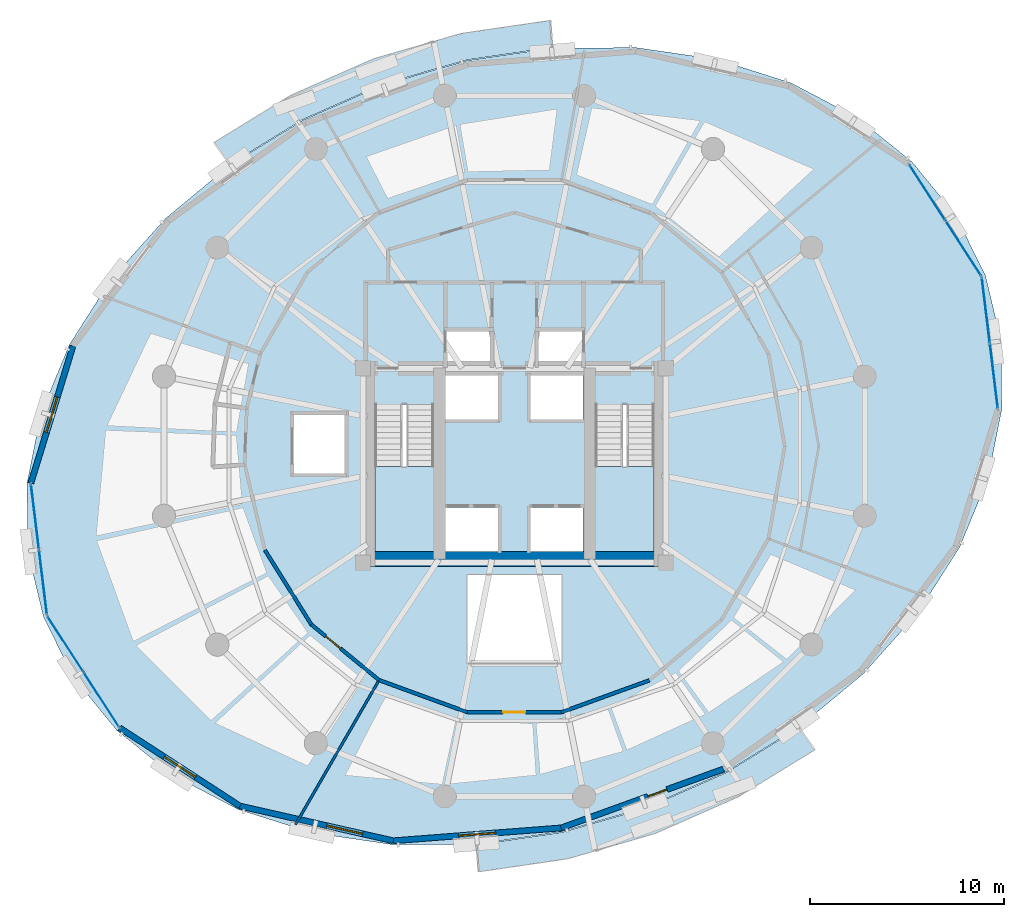
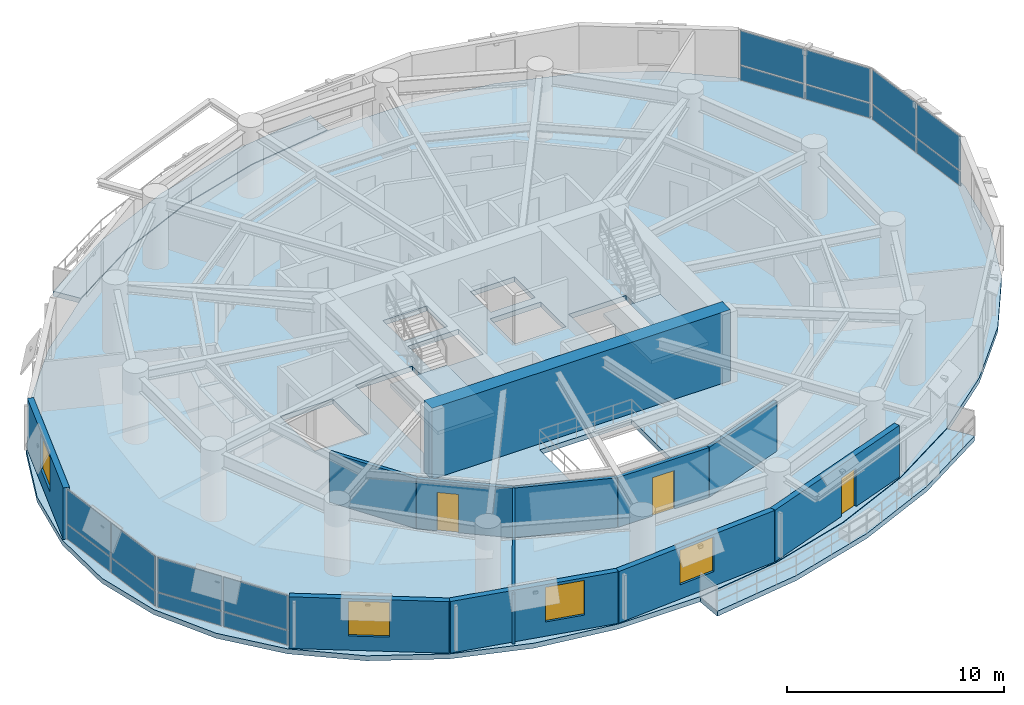
# One storey, part 9 of 15: 16 plates, 12 walls, 5 slabs, 4 windows, 3 doors, 7 openings, 6 elements without a shape of their own.
"""IFC4 building model written with IfcOpenShell, lengths in metres."""

from ifc_helpers import new_model, si_unit, direction, frame, frame_2d, origin, origin_2d, place, context, subcontext, project, spatial, polyline, rectangle, outline, extrude, material, layer, layer_set, type_object, element, fill, aggregate, save


model = new_model("IFC4")

# Units and contexts
model_context = context("Model", 3, precision=1e-05, world=origin(), true_north=direction((0.0, 1.0)))
body_context = subcontext(model_context, "Body", "Model", "MODEL_VIEW")
ifc_project = project(units=[si_unit("LENGTHUNIT", "METRE"), si_unit("AREAUNIT", "SQUARE_METRE"), si_unit("VOLUMEUNIT", "CUBIC_METRE"), si_unit("PLANEANGLEUNIT", "RADIAN"), si_unit("MASSUNIT", "GRAM", prefix="KILO"), si_unit("THERMODYNAMICTEMPERATUREUNIT", "KELVIN"), si_unit("POWERUNIT", "WATT")], contexts=[model_context])

# Site, building, storey
site_placement = place(None, origin())
site = spatial("IfcSite", under=ifc_project, at=site_placement, CompositionType="ELEMENT")
building_placement = place(site_placement, origin())
building = spatial("IfcBuilding", under=site, at=building_placement, Name="Ocrelia Relay Tower", CompositionType="ELEMENT")
storey_placement = place(building_placement, frame((0.0, 0.0, 117.800048828125)))
storey = spatial("IfcBuildingStorey", under=building, at=storey_placement, Name="L27", CompositionType="ELEMENT", Elevation=117.800048828125)

# Curtain wall, plates
ifc_material_1 = material(Name="Aluminium and solar-control low-E glass", Category="aluminium")
ifc_layer_1 = layer(ifc_material_1, 0.179931640625, Name="Aluminium and solar-control low-E glass")
ifc_layer_set_1 = layer_set([ifc_layer_1], Name="Aluminium and solar-control low-E glass")
curtain_wall_type = type_object("IfcCurtainWallType", Name="CW-SYS-Z2-SWIT", PredefinedType="NOTDEFINED", material=ifc_layer_set_1)
curtain_wall_1_placement = place(storey_placement, origin())
curtain_wall_1 = element("IfcCurtainWall", 1, at=curtain_wall_1_placement, inside=storey, type_object=curtain_wall_type, Name="L27 Elliptical Tower Curtain Wall Bay 01", PredefinedType="NOTDEFINED")
ifc_material_2 = material(Name="Clear double-glazed low-E glass", Category="glass")
ifc_layer_2 = layer(ifc_material_2, 0.031982421875, Name="Clear double-glazed low-E glass")
ifc_layer_set_2 = layer_set([ifc_layer_2], Name="Clear double-glazed low-E glass")
plate_type = type_object("IfcPlateType", Name="CW-SYS-Z2-SWIT-PNL", PredefinedType="CURTAIN_PANEL", material=ifc_layer_set_2)
plate_1_placement = place(storey_placement, frame((57.11962890625, 36.193115234375, 0.059814453125), z_axis=(0.0, 0.0, 1.0), x_axis=(-0.543455591745, 0.839437918968, 0.0)))
plate_1 = element("IfcPlate", 2, at=plate_1_placement, type_object=plate_type, Name="CW-Z2 panel 1.1", PredefinedType="CURTAIN_PANEL", context=body_context, shape_type="SweptSolid", body=[
    extrude(rectangle(XDim=3.33447265625, YDim=0.031982421875, at=origin_2d()), origin(), (0.0, 0.0, 1.0), 0.81005859375),
])
plate_2_placement = place(storey_placement, frame((57.11962890625, 36.193115234375, 0.93017578125), z_axis=(0.0, 0.0, 1.0), x_axis=(-0.543455591745, 0.839437918968, 0.0)))
plate_2 = element("IfcPlate", 3, at=plate_2_placement, type_object=plate_type, Name="CW-Z2 panel 1.2", PredefinedType="CURTAIN_PANEL", context=body_context, shape_type="SweptSolid", body=[
    extrude(rectangle(XDim=3.33447265625, YDim=0.031982421875, at=origin_2d()), origin(), (0.0, 0.0, 1.0), 1.909912109375),
])
plate_3_placement = place(storey_placement, frame((55.26953125, 39.051025390625, 0.059814453125), z_axis=(0.0, 0.0, 1.0), x_axis=(-0.543455591745, 0.839437918968, 0.0)))
plate_3 = element("IfcPlate", 4, at=plate_3_placement, type_object=plate_type, Name="CW-Z2 panel 2.1", PredefinedType="CURTAIN_PANEL", context=body_context, shape_type="SweptSolid", body=[
    extrude(rectangle(XDim=3.33447265625, YDim=0.031982421875, at=origin_2d()), origin(), (0.0, 0.0, 1.0), 0.81005859375),
])
plate_4_placement = place(storey_placement, frame((55.26953125, 39.051025390625, 0.93017578125), z_axis=(0.0, 0.0, 1.0), x_axis=(-0.543455591745, 0.839437918968, 0.0)))
plate_4 = element("IfcPlate", 5, at=plate_4_placement, type_object=plate_type, Name="CW-Z2 panel 2.2", PredefinedType="CURTAIN_PANEL", context=body_context, shape_type="SweptSolid", body=[
    extrude(rectangle(XDim=3.33447265625, YDim=0.031982421875, at=origin_2d()), origin(), (0.0, 0.0, 1.0), 1.909912109375),
])
aggregate(curtain_wall_1, [plate_1, plate_2, plate_3, plate_4])

curtain_wall_2_placement = place(storey_placement, origin())
curtain_wall_2 = element("IfcCurtainWall", 6, at=curtain_wall_2_placement, inside=storey, type_object=curtain_wall_type, Name="L27 Elliptical Tower Curtain Wall Bay 09", PredefinedType="NOTDEFINED")
plate_5_placement = place(storey_placement, frame((9.311279296875, 22.368896484375, 0.059814453125), z_axis=(0.0, 0.0, 1.0), x_axis=(0.121527745226, -0.992588034957, 0.0)))
plate_5 = element("IfcPlate", 7, at=plate_5_placement, type_object=plate_type, Name="CW-Z2 panel 1.1", PredefinedType="CURTAIN_PANEL", context=body_context, shape_type="SweptSolid", body=[
    extrude(rectangle(XDim=3.33447265625, YDim=0.031982421875, at=origin_2d()), origin(), (0.0, 0.0, 1.0), 0.81005859375),
])
plate_6_placement = place(storey_placement, frame((9.311279296875, 22.368896484375, 0.93017578125), z_axis=(0.0, 0.0, 1.0), x_axis=(0.121527745226, -0.992588034957, 0.0)))
plate_6 = element("IfcPlate", 8, at=plate_6_placement, type_object=plate_type, Name="CW-Z2 panel 1.2", PredefinedType="CURTAIN_PANEL", context=body_context, shape_type="SweptSolid", body=[
    extrude(rectangle(XDim=3.33447265625, YDim=0.031982421875, at=origin_2d()), origin(), (0.0, 0.0, 1.0), 1.909912109375),
])
plate_7_placement = place(storey_placement, frame((9.72509765625, 18.98974609375, 0.059814453125), z_axis=(0.0, 0.0, 1.0), x_axis=(0.121527745226, -0.992588034957, 0.0)))
plate_7 = element("IfcPlate", 9, at=plate_7_placement, type_object=plate_type, Name="CW-Z2 panel 2.1", PredefinedType="CURTAIN_PANEL", context=body_context, shape_type="SweptSolid", body=[
    extrude(rectangle(XDim=3.33447265625, YDim=0.031982421875, at=origin_2d()), origin(), (0.0, 0.0, 1.0), 0.81005859375),
])
plate_8_placement = place(storey_placement, frame((9.72509765625, 18.98974609375, 0.93017578125), z_axis=(0.0, 0.0, 1.0), x_axis=(0.121527745226, -0.992588034957, 0.0)))
plate_8 = element("IfcPlate", 10, at=plate_8_placement, type_object=plate_type, Name="CW-Z2 panel 2.2", PredefinedType="CURTAIN_PANEL", context=body_context, shape_type="SweptSolid", body=[
    extrude(rectangle(XDim=3.33447265625, YDim=0.031982421875, at=origin_2d()), origin(), (0.0, 0.0, 1.0), 1.909912109375),
])
aggregate(curtain_wall_2, [plate_5, plate_6, plate_7, plate_8])

curtain_wall_3_placement = place(storey_placement, origin())
curtain_wall_3 = element("IfcCurtainWall", 11, at=curtain_wall_3_placement, inside=storey, type_object=curtain_wall_type, Name="L27 Elliptical Tower Curtain Wall Bay 10", PredefinedType="NOTDEFINED")
plate_9_placement = place(storey_placement, frame((10.88037109375, 15.806884765625, 0.059814453125), z_axis=(0.0, 0.0, 1.0), x_axis=(0.543455591745, -0.839437918968, 0.0)))
plate_9 = element("IfcPlate", 12, at=plate_9_placement, type_object=plate_type, Name="CW-Z2 panel 1.1", PredefinedType="CURTAIN_PANEL", context=body_context, shape_type="SweptSolid", body=[
    extrude(rectangle(XDim=3.33447265625, YDim=0.031982421875, at=origin_2d()), origin(), (0.0, 0.0, 1.0), 0.81005859375),
])
plate_10_placement = place(storey_placement, frame((10.88037109375, 15.806884765625, 0.93017578125), z_axis=(0.0, 0.0, 1.0), x_axis=(0.543455591745, -0.839437918968, 0.0)))
plate_10 = element("IfcPlate", 13, at=plate_10_placement, type_object=plate_type, Name="CW-Z2 panel 1.2", PredefinedType="CURTAIN_PANEL", context=body_context, shape_type="SweptSolid", body=[
    extrude(rectangle(XDim=3.33447265625, YDim=0.031982421875, at=origin_2d()), origin(), (0.0, 0.0, 1.0), 1.909912109375),
])
plate_11_placement = place(storey_placement, frame((12.73046875, 12.948974609375, 0.059814453125), z_axis=(0.0, 0.0, 1.0), x_axis=(0.543455591745, -0.839437918968, 0.0)))
plate_11 = element("IfcPlate", 14, at=plate_11_placement, type_object=plate_type, Name="CW-Z2 panel 2.1", PredefinedType="CURTAIN_PANEL", context=body_context, shape_type="SweptSolid", body=[
    extrude(rectangle(XDim=3.33447265625, YDim=0.031982421875, at=origin_2d()), origin(), (0.0, 0.0, 1.0), 0.81005859375),
])
plate_12_placement = place(storey_placement, frame((12.73046875, 12.948974609375, 0.93017578125), z_axis=(0.0, 0.0, 1.0), x_axis=(0.543455591745, -0.839437918968, 0.0)))
plate_12 = element("IfcPlate", 15, at=plate_12_placement, type_object=plate_type, Name="CW-Z2 panel 2.2", PredefinedType="CURTAIN_PANEL", context=body_context, shape_type="SweptSolid", body=[
    extrude(rectangle(XDim=3.33447265625, YDim=0.031982421875, at=origin_2d()), origin(), (0.0, 0.0, 1.0), 1.909912109375),
])
aggregate(curtain_wall_3, [plate_9, plate_10, plate_11, plate_12])

curtain_wall_4_placement = place(storey_placement, origin())
curtain_wall_4 = element("IfcCurtainWall", 16, at=curtain_wall_4_placement, inside=storey, type_object=curtain_wall_type, Name="L27 Elliptical Tower Curtain Wall Bay 18", PredefinedType="NOTDEFINED")
plate_13_placement = place(storey_placement, frame((58.688720703125, 29.631103515625, 0.059814453125), z_axis=(0.0, 0.0, 1.0), x_axis=(-0.121527745226, 0.992588034957, 0.0)))
plate_13 = element("IfcPlate", 17, at=plate_13_placement, type_object=plate_type, Name="CW-Z2 panel 1.1", PredefinedType="CURTAIN_PANEL", context=body_context, shape_type="SweptSolid", body=[
    extrude(rectangle(XDim=3.33447265625, YDim=0.031982421875, at=origin_2d()), origin(), (0.0, 0.0, 1.0), 0.81005859375),
])
plate_14_placement = place(storey_placement, frame((58.688720703125, 29.631103515625, 0.93017578125), z_axis=(0.0, 0.0, 1.0), x_axis=(-0.121527745226, 0.992588034957, 0.0)))
plate_14 = element("IfcPlate", 18, at=plate_14_placement, type_object=plate_type, Name="CW-Z2 panel 1.2", PredefinedType="CURTAIN_PANEL", context=body_context, shape_type="SweptSolid", body=[
    extrude(rectangle(XDim=3.33447265625, YDim=0.031982421875, at=origin_2d()), origin(), (0.0, 0.0, 1.0), 1.909912109375),
])
plate_15_placement = place(storey_placement, frame((58.27490234375, 33.01025390625, 0.059814453125), z_axis=(0.0, 0.0, 1.0), x_axis=(-0.121527745226, 0.992588034957, 0.0)))
plate_15 = element("IfcPlate", 19, at=plate_15_placement, type_object=plate_type, Name="CW-Z2 panel 2.1", PredefinedType="CURTAIN_PANEL", context=body_context, shape_type="SweptSolid", body=[
    extrude(rectangle(XDim=3.33447265625, YDim=0.031982421875, at=origin_2d()), origin(), (0.0, 0.0, 1.0), 0.81005859375),
])
plate_16_placement = place(storey_placement, frame((58.27490234375, 33.01025390625, 0.93017578125), z_axis=(0.0, 0.0, 1.0), x_axis=(-0.121527745226, 0.992588034957, 0.0)))
plate_16 = element("IfcPlate", 20, at=plate_16_placement, type_object=plate_type, Name="CW-Z2 panel 2.2", PredefinedType="CURTAIN_PANEL", context=body_context, shape_type="SweptSolid", body=[
    extrude(rectangle(XDim=3.33447265625, YDim=0.031982421875, at=origin_2d()), origin(), (0.0, 0.0, 1.0), 1.909912109375),
])
aggregate(curtain_wall_4, [plate_13, plate_14, plate_15, plate_16])

# Slabs
ifc_material_3 = material(Name="Precast concrete C40/50", Category="concrete")
ifc_layer_3 = layer(ifc_material_3, 0.280029296875, Name="Precast concrete C40/50")
ifc_layer_set_3 = layer_set([ifc_layer_3], Name="Precast concrete C40/50")
slab_type_1 = type_object("IfcSlabType", Name="SL-BALC-280", PredefinedType="FLOOR", material=ifc_layer_set_3)
slab_1_placement = place(storey_placement, frame((0.0, 0.0, -0.280029296875)))
element("IfcSlab", 21, at=slab_1_placement, inside=storey, type_object=slab_type_1, Name="L27 Planted Loggia Balcony B1", PredefinedType="FLOOR", context=body_context, shape_type="SweptSolid", body=[
    extrude(outline(polyline([(35.944091796875, 46.5302734375), (33.747802734375, 46.20849609375), (31.5517578125, 45.88720703125), (27.23388671875, 44.64013671875), (23.12158203125, 42.826904296875), (21.230712890625, 41.6650390625), (19.339599609375, 40.503173828125), (18.5283203125, 41.635986328125), (20.50146484375, 42.848388671875), (22.474365234375, 44.060791015625), (26.758544921875, 45.94970703125), (31.2568359375, 47.248779296875), (33.54833984375, 47.584228515625), (35.839599609375, 47.919677734375), (35.944091796875, 46.5302734375)])), origin(), (0.0, 0.0, 1.0), 0.280029296875),
])
slab_2_placement = place(storey_placement, frame((0.0, 0.0, -0.280029296875)))
element("IfcSlab", 22, at=slab_2_placement, inside=storey, type_object=slab_type_1, Name="L27 Planted Loggia Balcony B2", PredefinedType="FLOOR", context=body_context, shape_type="SweptSolid", body=[
    extrude(outline(polyline([(32.055908203125, 5.4697265625), (34.252197265625, 5.791259765625), (36.4482421875, 6.11279296875), (40.76611328125, 7.35986328125), (44.87841796875, 9.173095703125), (46.769287109375, 10.3349609375), (48.660400390625, 11.496826171875), (49.4716796875, 10.364013671875), (47.49853515625, 9.151611328125), (45.525634765625, 7.939208984375), (41.241455078125, 6.05029296875), (36.7431640625, 4.751220703125), (34.45166015625, 4.415771484375), (32.160400390625, 4.080322265625), (32.055908203125, 5.4697265625)])), origin(), (0.0, 0.0, 1.0), 0.280029296875),
])
ifc_material_4 = material(Name="Concrete C50/60", Category="concrete")
ifc_layer_4 = layer(ifc_material_4, 0.280029296875, Name="Concrete C50/60")
ifc_layer_set_4 = layer_set([ifc_layer_4], Name="Concrete C50/60")
slab_type_2 = type_object("IfcSlabType", Name="SL-FLR-280", PredefinedType="FLOOR", material=ifc_layer_set_4)
slab_3_placement = place(storey_placement, frame((0.0, 0.0, -0.280029296875)))
element("IfcSlab", 23, at=slab_3_placement, inside=storey, type_object=slab_type_2, Name="L27 Elliptical Tower Floor Slab", PredefinedType="FLOOR", context=body_context, shape_type="SweptSolid", body=[
    extrude(outline(polyline([(58.251708984375, 34.802978515625), (56.710205078125, 37.901123046875), (54.478515625, 40.6376953125), (51.624755859375, 42.929443359375), (48.2353515625, 44.706787109375), (44.41357421875, 45.916015625), (40.275146484375, 46.519775390625), (35.9462890625, 46.500244140625), (31.55810546875, 45.857666015625), (27.244140625, 44.61181640625), (23.135498046875, 42.80029296875), (19.357177734375, 40.478515625), (16.0234375, 37.716796875), (13.236083984375, 34.59912109375), (11.07958984375, 31.219970703125), (9.619384765625, 27.682373046875), (8.900146484375, 24.093505859375), (8.943603515625, 20.562744140625), (9.748291015625, 17.197021484375), (11.289794921875, 14.098876953125), (13.521484375, 11.3623046875), (16.375244140625, 9.070556640625), (19.7646484375, 7.293212890625), (23.58642578125, 6.083984375), (27.724853515625, 5.480224609375), (32.0537109375, 5.499755859375), (36.44189453125, 6.142333984375), (40.755859375, 7.38818359375), (44.864501953125, 9.19970703125), (48.642822265625, 11.521484375), (51.9765625, 14.283203125), (54.763916015625, 17.40087890625), (56.92041015625, 20.780029296875), (58.380615234375, 24.317626953125), (59.099853515625, 27.906494140625), (59.056396484375, 31.437255859375), (58.251708984375, 34.802978515625)]), holes=[polyline([(26.81005859375, 28.14990234375), (26.81005859375, 20.550048828125), (29.85009765625, 20.550048828125), (29.85009765625, 28.14990234375), (26.81005859375, 28.14990234375)]), polyline([(38.159912109375, 28.14990234375), (38.159912109375, 20.550048828125), (41.199951171875, 20.550048828125), (41.199951171875, 28.14990234375), (38.159912109375, 28.14990234375)]), polyline([(30.4599609375, 20.550048828125), (33.159912109375, 20.550048828125), (33.159912109375, 22.85009765625), (30.4599609375, 22.85009765625), (30.4599609375, 20.550048828125)]), polyline([(34.840087890625, 20.550048828125), (37.5400390625, 20.550048828125), (37.5400390625, 22.85009765625), (34.840087890625, 22.85009765625), (34.840087890625, 20.550048828125)]), polyline([(30.4599609375, 27.35009765625), (33.159912109375, 27.35009765625), (33.159912109375, 29.64990234375), (30.4599609375, 29.64990234375), (30.4599609375, 27.35009765625)]), polyline([(34.840087890625, 27.35009765625), (37.5400390625, 27.35009765625), (37.5400390625, 29.64990234375), (34.840087890625, 29.64990234375), (34.840087890625, 27.35009765625)]), polyline([(30.5, 30.10009765625), (32.85009765625, 30.10009765625), (32.85009765625, 32.0), (30.5, 32.0), (30.5, 30.10009765625)]), polyline([(35.14990234375, 30.10009765625), (37.5, 30.10009765625), (37.5, 32.0), (35.14990234375, 32.0), (35.14990234375, 30.10009765625)]), polyline([(22.550048828125, 24.5), (25.35009765625, 24.5), (25.35009765625, 27.699951171875), (22.550048828125, 27.699951171875), (22.550048828125, 24.5)]), polyline([(31.550048828125, 14.800048828125), (36.449951171875, 14.800048828125), (36.449951171875, 19.39990234375), (31.550048828125, 19.39990234375), (31.550048828125, 14.800048828125)])]), origin(), (0.0, 0.0, 1.0), 0.280029296875),
])

# Stair, slab
stair_type = type_object("IfcStairType", Name="ST-DL-1420-R167", PredefinedType="HALF_TURN_STAIR", material=ifc_material_4)
stair_1_placement = place(storey_placement, origin())
stair_1 = element("IfcStair", 24, at=stair_1_placement, inside=storey, type_object=stair_type, Name="L27 West Core Exit Stair ST1", PredefinedType="HALF_TURN_STAIR")
ifc_layer_5 = layer(ifc_material_4, 0.199951171875, Name="Concrete C50/60")
ifc_layer_set_5 = layer_set([ifc_layer_5], Name="Concrete C50/60")
slab_type_3 = type_object("IfcSlabType", Name="SL-LANDING-200", PredefinedType="LANDING", material=ifc_layer_set_5)
slab_4_placement = place(storey_placement, frame((0.0, 0.0, 1.800048828125)))
slab_4 = element("IfcSlab", 25, at=slab_4_placement, type_object=slab_type_3, Name="ST1 landing 1", PredefinedType="LANDING", context=body_context, shape_type="SweptSolid", body=[
    extrude(outline(polyline([(26.81005859375, 24.9599609375), (26.81005859375, 20.550048828125), (29.85009765625, 20.550048828125), (29.85009765625, 24.9599609375), (26.81005859375, 24.9599609375)])), origin(), (0.0, 0.0, 1.0), 0.199951171875),
])
aggregate(stair_1, [slab_4])

stair_2_placement = place(storey_placement, origin())
stair_2 = element("IfcStair", 26, at=stair_2_placement, inside=storey, type_object=stair_type, Name="L27 East Core Exit Stair ST2", PredefinedType="HALF_TURN_STAIR")
slab_5_placement = place(storey_placement, frame((0.0, 0.0, 1.800048828125)))
slab_5 = element("IfcSlab", 27, at=slab_5_placement, type_object=slab_type_3, Name="ST2 landing 1", PredefinedType="LANDING", context=body_context, shape_type="SweptSolid", body=[
    extrude(outline(polyline([(38.159912109375, 24.9599609375), (38.159912109375, 20.550048828125), (41.199951171875, 20.550048828125), (41.199951171875, 24.9599609375), (38.159912109375, 24.9599609375)])), origin(), (0.0, 0.0, 1.0), 0.199951171875),
])
aggregate(stair_2, [slab_5])

# Walls
ifc_material_5 = material(Name="Concrete C60/75", Category="concrete")
ifc_layer_6 = layer(ifc_material_5, 0.75, Name="Concrete C60/75")
ifc_layer_set_6 = layer_set([ifc_layer_6], Name="Concrete C60/75")
wall_type_1 = type_object("IfcWallType", Name="CW-CORE-750", PredefinedType="SHEAR", material=ifc_layer_set_6)
wall_1_placement = place(storey_placement, frame((26.072021484375, 20.18701171875, 0.0), z_axis=(0.0, 0.0, 1.0), x_axis=(1.0, 0.0, 0.0)))
element("IfcWall", 28, at=wall_1_placement, inside=storey, type_object=wall_type_1, Name="L27 Core Shear Wall S", PredefinedType="SHEAR", context=body_context, shape_type="SweptSolid", body=[
    extrude(rectangle(XDim=15.865966796875, YDim=0.75, at=frame_2d((7.93310546875, 0.0))), origin(), (0.0, 0.0, 1.0), 4.0),
])
ifc_material_6 = material(Name="Gypsum Fireboard Partition EI60", Category="gypsum")
ifc_layer_7 = layer(ifc_material_6, 0.179931640625, Name="Gypsum Fireboard Partition EI60")
ifc_layer_set_7 = layer_set([ifc_layer_7], Name="Gypsum Fireboard Partition EI60")
wall_type_2 = type_object("IfcWallType", Name="W-CORR-EI60-180", PredefinedType="PARTITIONING", material=ifc_layer_set_7)
wall_2_placement = place(storey_placement, frame((21.150390625, 20.64697265625, 0.0), z_axis=(0.0, 0.0, 1.0), x_axis=(0.529201601121, -0.848496119832, 0.0)))
element("IfcWall", 29, at=wall_2_placement, inside=storey, type_object=wall_type_2, Name="L27 Peering Conference Room Corridor Partition 2", PredefinedType="PARTITIONING", context=body_context, shape_type="SweptSolid", body=[
    extrude(rectangle(XDim=4.51513671875, YDim=0.179931640625, at=frame_2d((2.257568359375, 0.0))), origin(), (0.0, 0.0, 1.0), 2.800048828125),
])

# Wall, opening, door
wall_3_placement = place(storey_placement, frame((23.539794921875, 16.81591796875, 0.0), z_axis=(0.0, 0.0, 1.0), x_axis=(0.772898612526, -0.634529538127, 0.0)))
wall_3 = element("IfcWall", 30, at=wall_3_placement, inside=storey, type_object=wall_type_2, Name="L27 Peering Conference Room Corridor Partition 3", PredefinedType="PARTITIONING", context=body_context, shape_type="SweptSolid", body=[
    extrude(rectangle(XDim=4.51513671875, YDim=0.179931640625, at=frame_2d((2.257568359375, 0.0))), origin(), (0.0, 0.0, 1.0), 2.800048828125),
])
opening_1_placement = place(wall_3_placement, frame((0.953857421875, 0.0, 0.0)))
opening_1 = element("IfcOpeningElement", 31, at=opening_1_placement, cuts=wall_3, Name="Opening D-RM100", PredefinedType="OPENING", context=body_context, shape_type="SweptSolid", body=[
    extrude(rectangle(XDim=1.0, YDim=2.14990234375, at=frame_2d((0.5, 1.074951171875))), frame((0.0, 0.10009765625, 0.0), z_axis=(0.0, -1.0, 0.0), x_axis=(1.0, 0.0, 0.0)), (0.0, 0.0, 1.0), 0.199951171875),
])
ifc_material_7 = material(Name="Acoustic oak veneer fire door", Category="wood")
door_type_1 = type_object("IfcDoorType", Name="DR-ROOM-FD60-1000", OperationType="NOTDEFINED", PredefinedType="DOOR", material=ifc_material_7)
door_1_placement = place(opening_1_placement, origin())
door_1 = element("IfcDoor", 32, at=door_1_placement, inside=storey, type_object=door_type_1, Name="L27 Peering Conference Room Entrance Door", OperationType="SINGLE_SWING_LEFT", OverallHeight=2.14990234375, OverallWidth=1.0, PredefinedType="DOOR", context=body_context, shape_type="SweptSolid", body=[
    extrude(rectangle(XDim=1.0, YDim=2.14990234375, at=frame_2d((0.5, 1.074951171875))), frame((0.0, 0.02490234375, 0.0), z_axis=(0.0, -1.0, 0.0), x_axis=(1.0, 0.0, 0.0)), (0.0, 0.0, 1.0), 0.050048828125),
])
fill(opening_1, door_1)

# Wall
wall_4_placement = place(storey_placement, frame((27.029541015625, 13.950927734375, 0.0), z_axis=(0.0, 0.0, 1.0), x_axis=(0.939403536329, -0.342813354368, 0.0)))
element("IfcWall", 33, at=wall_4_placement, inside=storey, type_object=wall_type_2, Name="L27 Optical Switching Hall A Corridor Partition 1", PredefinedType="PARTITIONING", context=body_context, shape_type="SweptSolid", body=[
    extrude(rectangle(XDim=4.834228515625, YDim=0.179931640625, at=frame_2d((2.4169921875, 0.0))), origin(), (0.0, 0.0, 1.0), 2.800048828125),
])

# Wall, opening, door
wall_5_placement = place(storey_placement, frame((31.57080078125, 12.293701171875, 0.0), z_axis=(0.0, 0.0, 1.0), x_axis=(0.999999586861, -0.000908998715, 0.0)))
wall_5 = element("IfcWall", 34, at=wall_5_placement, inside=storey, type_object=wall_type_2, Name="L27 Optical Switching Hall A Corridor Partition 2", PredefinedType="PARTITIONING", context=body_context, shape_type="SweptSolid", body=[
    extrude(rectangle(XDim=4.83447265625, YDim=0.179931640625, at=frame_2d((2.417236328125, 0.0))), origin(), (0.0, 0.0, 1.0), 2.800048828125),
])
opening_2_placement = place(wall_5_placement, frame((1.84228515625, 0.0, 0.0)))
opening_2 = element("IfcOpeningElement", 35, at=opening_2_placement, cuts=wall_5, Name="Opening D-RM115", PredefinedType="OPENING", context=body_context, shape_type="SweptSolid", body=[
    extrude(rectangle(XDim=1.14990234375, YDim=2.14990234375, at=frame_2d((0.574951171875, 1.074951171875))), frame((0.0, 0.10009765625, 0.0), z_axis=(0.0, -1.0, 0.0), x_axis=(1.0, 0.0, 0.0)), (0.0, 0.0, 1.0), 0.199951171875),
])
ifc_material_8 = material(Name="Wide acoustic oak veneer fire door", Category="wood")
door_type_2 = type_object("IfcDoorType", Name="DR-ROOM-1150", OperationType="NOTDEFINED", PredefinedType="DOOR", material=ifc_material_8)
door_2_placement = place(opening_2_placement, origin())
door_2 = element("IfcDoor", 36, at=door_2_placement, inside=storey, type_object=door_type_2, Name="L27 Optical Switching Hall A Entrance Door", OperationType="SINGLE_SWING_RIGHT", OverallHeight=2.14990234375, OverallWidth=1.14990234375, PredefinedType="DOOR", context=body_context, shape_type="SweptSolid", body=[
    extrude(rectangle(XDim=1.14990234375, YDim=2.14990234375, at=frame_2d((0.574951171875, 1.074951171875))), frame((0.0, 0.02490234375, 0.0), z_axis=(0.0, -1.0, 0.0), x_axis=(1.0, 0.0, 0.0)), (0.0, 0.0, 1.0), 0.050048828125),
])
fill(opening_2, door_2)

# Wall
wall_6_placement = place(storey_placement, frame((36.4052734375, 12.289306640625, 0.0), z_axis=(0.0, 0.0, 1.0), x_axis=(0.939977597515, 0.341236158943, 0.0)))
element("IfcWall", 37, at=wall_6_placement, inside=storey, type_object=wall_type_2, Name="L27 Optical Switching Hall A Corridor Partition 3", PredefinedType="PARTITIONING", context=body_context, shape_type="SweptSolid", body=[
    extrude(rectangle(XDim=4.83447265625, YDim=0.179931640625, at=frame_2d((2.417236328125, 0.0))), origin(), (0.0, 0.0, 1.0), 2.800048828125),
])

# Wall, opening, window
ifc_material_9 = material(Name="Precast concrete C40/50 with oxide terracotta", Category="masonry")
ifc_layer_8 = layer(ifc_material_9, 0.300048828125, Name="Precast concrete C40/50 with oxide terracotta")
ifc_layer_set_8 = layer_set([ifc_layer_8], Name="Precast concrete C40/50 with oxide terracotta")
wall_type_3 = type_object("IfcWallType", Name="W-EXT-TERR-300", PredefinedType="SOLIDWALL", material=ifc_layer_set_8)
wall_7_placement = place(storey_placement, frame((11.267333984375, 31.1513671875, 0.0), z_axis=(0.0, 0.0, 1.0), x_axis=(-0.293539741082, -0.955946871121, 0.0)))
wall_7 = element("IfcWall", 38, at=wall_7_placement, inside=storey, type_object=wall_type_3, Name="L27 Oxide Terracotta Facade Wall 08", PredefinedType="SOLIDWALL", context=body_context, shape_type="SweptSolid", body=[
    extrude(rectangle(XDim=7.383056640625, YDim=0.300048828125, at=frame_2d((3.69140625, 0.0))), origin(), (0.0, 0.0, 1.0), 2.89990234375),
])
opening_3_placement = place(wall_7_placement, frame((2.741943359375, 0.0, 0.800048828125)))
opening_3 = element("IfcOpeningElement", 39, at=opening_3_placement, cuts=wall_7, Name="Opening W-06", PredefinedType="OPENING", context=body_context, shape_type="SweptSolid", body=[
    extrude(rectangle(XDim=1.89990234375, YDim=1.949951171875, at=frame_2d((0.949951171875, 0.97509765625))), frame((0.0, 0.16015625, 0.0), z_axis=(0.0, -1.0, 0.0), x_axis=(1.0, 0.0, 0.0)), (0.0, 0.0, 1.0), 0.320068359375),
])
window_type = type_object("IfcWindowType", Name="WIN-Z2-1900x2100", PartitioningType="DOUBLE_PANEL_VERTICAL", PredefinedType="WINDOW", material=ifc_material_2)
window_1_placement = place(opening_3_placement, origin())
window_1 = element("IfcWindow", 40, at=window_1_placement, inside=storey, type_object=window_type, Name="L27 Facade Module Window 08", OverallHeight=1.949951171875, OverallWidth=1.89990234375, PartitioningType="SINGLE_PANEL", PredefinedType="WINDOW", context=body_context, shape_type="SweptSolid", body=[
    extrude(rectangle(XDim=1.89990234375, YDim=1.949951171875, at=frame_2d((0.949951171875, 0.97509765625))), frame((0.0, 0.030029296875, 0.0), z_axis=(0.0, -1.0, 0.0), x_axis=(1.0, 0.0, 0.0)), (0.0, 0.0, 1.0), 0.06005859375),
])
fill(opening_3, window_1)

wall_8_placement = place(storey_placement, frame((13.6748046875, 11.49072265625, 0.0), z_axis=(0.0, 0.0, 1.0), x_axis=(0.838384683286, -0.545079006046, 0.0)))
wall_8 = element("IfcWall", 41, at=wall_8_placement, inside=storey, type_object=wall_type_3, Name="L27 Oxide Terracotta Facade Wall 11", PredefinedType="SOLIDWALL", context=body_context, shape_type="SweptSolid", body=[
    extrude(rectangle(XDim=7.383056640625, YDim=0.300048828125, at=frame_2d((3.69140625, 0.0))), origin(), (0.0, 0.0, 1.0), 2.89990234375),
])
opening_4_placement = place(wall_8_placement, frame((2.741943359375, 0.0, 0.800048828125)))
opening_4 = element("IfcOpeningElement", 42, at=opening_4_placement, cuts=wall_8, Name="Opening W-06", PredefinedType="OPENING", context=body_context, shape_type="SweptSolid", body=[
    extrude(rectangle(XDim=1.89990234375, YDim=1.949951171875, at=frame_2d((0.949951171875, 0.97509765625))), frame((0.0, 0.16015625, 0.0), z_axis=(0.0, -1.0, 0.0), x_axis=(1.0, 0.0, 0.0)), (0.0, 0.0, 1.0), 0.320068359375),
])
window_2_placement = place(opening_4_placement, origin())
window_2 = element("IfcWindow", 43, at=window_2_placement, inside=storey, type_object=window_type, Name="L27 Facade Module Window 11", OverallHeight=1.949951171875, OverallWidth=1.89990234375, PartitioningType="SINGLE_PANEL", PredefinedType="WINDOW", context=body_context, shape_type="SweptSolid", body=[
    extrude(rectangle(XDim=1.89990234375, YDim=1.949951171875, at=frame_2d((0.949951171875, 0.97509765625))), frame((0.0, 0.030029296875, 0.0), z_axis=(0.0, -1.0, 0.0), x_axis=(1.0, 0.0, 0.0)), (0.0, 0.0, 1.0), 0.06005859375),
])
fill(opening_4, window_2)

wall_9_placement = place(storey_placement, frame((19.86474609375, 7.46630859375, 0.0), z_axis=(0.0, 0.0, 1.0), x_axis=(0.975266584043, -0.22103187564, 0.0)))
wall_9 = element("IfcWall", 44, at=wall_9_placement, inside=storey, type_object=wall_type_3, Name="L27 Oxide Terracotta Facade Wall 12", PredefinedType="SOLIDWALL", context=body_context, shape_type="SweptSolid", body=[
    extrude(rectangle(XDim=8.09521484375, YDim=0.300048828125, at=frame_2d((4.047607421875, 0.0))), origin(), (0.0, 0.0, 1.0), 2.89990234375),
])
opening_5_placement = place(wall_9_placement, frame((4.580078125, 0.0, 0.800048828125)))
opening_5 = element("IfcOpeningElement", 45, at=opening_5_placement, cuts=wall_9, Name="Opening W-06", PredefinedType="OPENING", context=body_context, shape_type="SweptSolid", body=[
    extrude(rectangle(XDim=1.89990234375, YDim=1.949951171875, at=frame_2d((0.949951171875, 0.97509765625))), frame((0.0, 0.16015625, 0.0), z_axis=(0.0, -1.0, 0.0), x_axis=(1.0, 0.0, 0.0)), (0.0, 0.0, 1.0), 0.320068359375),
])
window_3_placement = place(opening_5_placement, origin())
window_3 = element("IfcWindow", 46, at=window_3_placement, inside=storey, type_object=window_type, Name="L27 Facade Module Window 12", OverallHeight=1.949951171875, OverallWidth=1.89990234375, PartitioningType="SINGLE_PANEL", PredefinedType="WINDOW", context=body_context, shape_type="SweptSolid", body=[
    extrude(rectangle(XDim=1.89990234375, YDim=1.949951171875, at=frame_2d((0.949951171875, 0.97509765625))), frame((0.0, 0.030029296875, 0.0), z_axis=(0.0, -1.0, 0.0), x_axis=(1.0, 0.0, 0.0)), (0.0, 0.0, 1.0), 0.06005859375),
])
fill(opening_5, window_3)

wall_10_placement = place(storey_placement, frame((27.759765625, 5.677001953125, 0.0), z_axis=(0.0, 0.0, 1.0), x_axis=(0.997079436501, 0.076371443005, 0.0)))
wall_10 = element("IfcWall", 47, at=wall_10_placement, inside=storey, type_object=wall_type_3, Name="L27 Oxide Terracotta Facade Wall 13", PredefinedType="SOLIDWALL", context=body_context, shape_type="SweptSolid", body=[
    extrude(rectangle(XDim=8.6728515625, YDim=0.300048828125, at=frame_2d((4.33642578125, 0.0))), origin(), (0.0, 0.0, 1.0), 2.89990234375),
])
opening_6_placement = place(wall_10_placement, frame((3.385986328125, 0.0, 0.800048828125)))
opening_6 = element("IfcOpeningElement", 48, at=opening_6_placement, cuts=wall_10, Name="Opening W-06", PredefinedType="OPENING", context=body_context, shape_type="SweptSolid", body=[
    extrude(rectangle(XDim=1.89990234375, YDim=1.949951171875, at=frame_2d((0.949951171875, 0.97509765625))), frame((0.0, 0.16015625, 0.0), z_axis=(0.0, -1.0, 0.0), x_axis=(1.0, 0.0, 0.0)), (0.0, 0.0, 1.0), 0.320068359375),
])
window_4_placement = place(opening_6_placement, origin())
window_4 = element("IfcWindow", 49, at=window_4_placement, inside=storey, type_object=window_type, Name="L27 Facade Module Window 13", OverallHeight=1.949951171875, OverallWidth=1.89990234375, PartitioningType="SINGLE_PANEL", PredefinedType="WINDOW", context=body_context, shape_type="SweptSolid", body=[
    extrude(rectangle(XDim=1.89990234375, YDim=1.949951171875, at=frame_2d((0.949951171875, 0.97509765625))), frame((0.0, 0.030029296875, 0.0), z_axis=(0.0, -1.0, 0.0), x_axis=(1.0, 0.0, 0.0)), (0.0, 0.0, 1.0), 0.06005859375),
])
fill(opening_6, window_4)

# Wall, opening, door
wall_11_placement = place(storey_placement, frame((36.4072265625, 6.33935546875, 0.0), z_axis=(0.0, 0.0, 1.0), x_axis=(0.939992901383, 0.341193999582, 0.0)))
wall_11 = element("IfcWall", 50, at=wall_11_placement, inside=storey, type_object=wall_type_3, Name="L27 Oxide Terracotta Facade Wall 14", PredefinedType="SOLIDWALL", context=body_context, shape_type="SweptSolid", body=[
    extrude(rectangle(XDim=8.890625, YDim=0.300048828125, at=frame_2d((4.4453125, 0.0))), origin(), (0.0, 0.0, 1.0), 2.89990234375),
])
opening_7_placement = place(wall_11_placement, frame((4.75, 0.0, 0.0)))
opening_7 = element("IfcOpeningElement", 51, at=opening_7_placement, cuts=wall_11, Name="Opening DB-105", PredefinedType="OPENING", context=body_context, shape_type="SweptSolid", body=[
    extrude(rectangle(XDim=1.050048828125, YDim=2.14990234375, at=frame_2d((0.52490234375, 1.074951171875))), frame((0.0, 0.16015625, 0.0), z_axis=(0.0, -1.0, 0.0), x_axis=(1.0, 0.0, 0.0)), (0.0, 0.0, 1.0), 0.320068359375),
])
ifc_material_10 = material(Name="Thermally broken aluminium and clear glass", Category="aluminium")
door_type_3 = type_object("IfcDoorType", Name="DR-BALC-1050", OperationType="NOTDEFINED", PredefinedType="DOOR", material=ifc_material_10)
door_3_placement = place(opening_7_placement, origin())
door_3 = element("IfcDoor", 52, at=door_3_placement, inside=storey, type_object=door_type_3, Name="L27 Planted Loggia Balcony Door B2", OperationType="SINGLE_SWING_LEFT", OverallHeight=2.14990234375, OverallWidth=1.050048828125, PredefinedType="DOOR", context=body_context, shape_type="SweptSolid", body=[
    extrude(rectangle(XDim=1.050048828125, YDim=2.14990234375, at=frame_2d((0.52490234375, 1.074951171875))), frame((0.0, 0.02490234375, 0.0), z_axis=(0.0, -1.0, 0.0), x_axis=(1.0, 0.0, 0.0)), (0.0, 0.0, 1.0), 0.050048828125),
])
fill(opening_7, door_3)

# Wall
ifc_material_11 = material(Name="Acoustic Fireboard Partition EI60", Category="gypsum")
ifc_layer_9 = layer(ifc_material_11, 0.125, Name="Acoustic Fireboard Partition EI60")
ifc_layer_set_9 = layer_set([ifc_layer_9], Name="Acoustic Fireboard Partition EI60")
wall_type_4 = type_object("IfcWallType", Name="W-PART-125", PredefinedType="PARTITIONING", material=ifc_layer_set_9)
wall_12_placement = place(storey_placement, frame((27.029541015625, 13.950927734375, 0.0), z_axis=(0.0, 0.0, 1.0), x_axis=(-0.500748808001, -0.86559264743, 0.0)))
element("IfcWall", 53, at=wall_12_placement, inside=storey, type_object=wall_type_4, Name="L27 Peering Conference Room Radial Partition", PredefinedType="PARTITIONING", context=body_context, shape_type="SweptSolid", body=[
    extrude(rectangle(XDim=8.604736328125, YDim=0.125, at=frame_2d((4.30224609375, 0.0))), origin(), (0.0, 0.0, 1.0), 2.800048828125),
])

save(model, "model.ifc")
